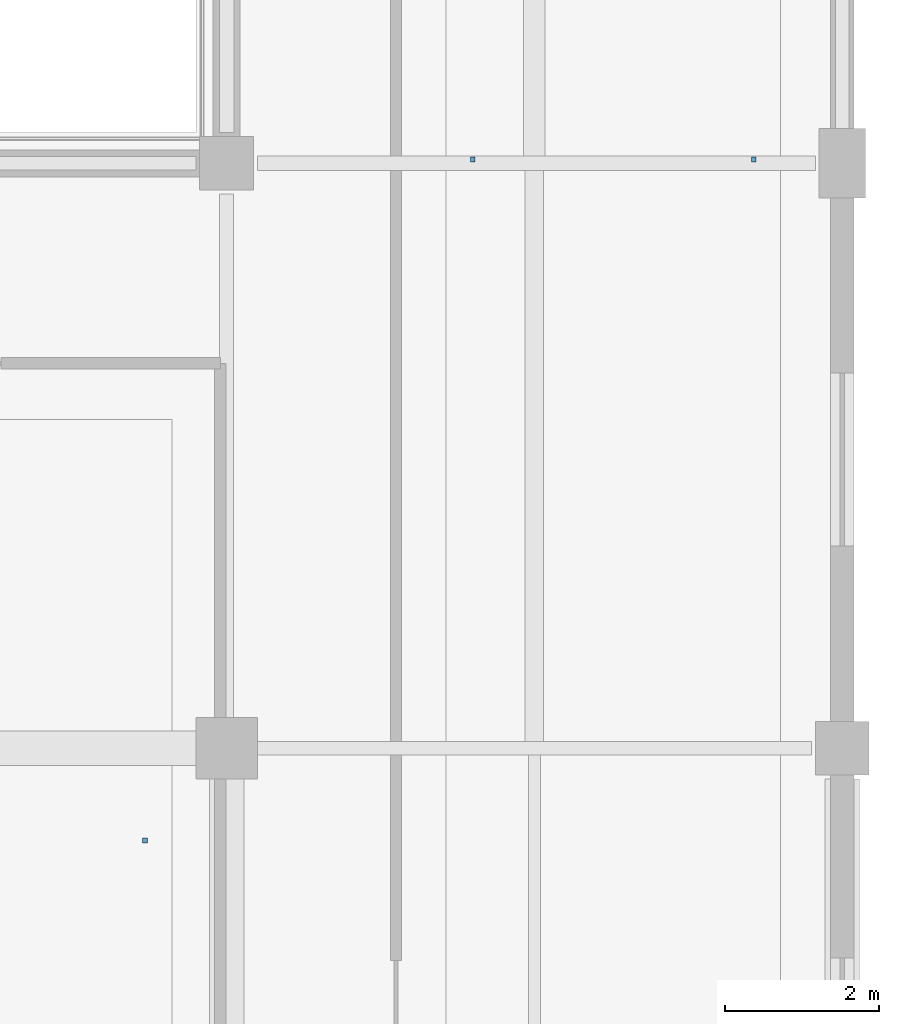
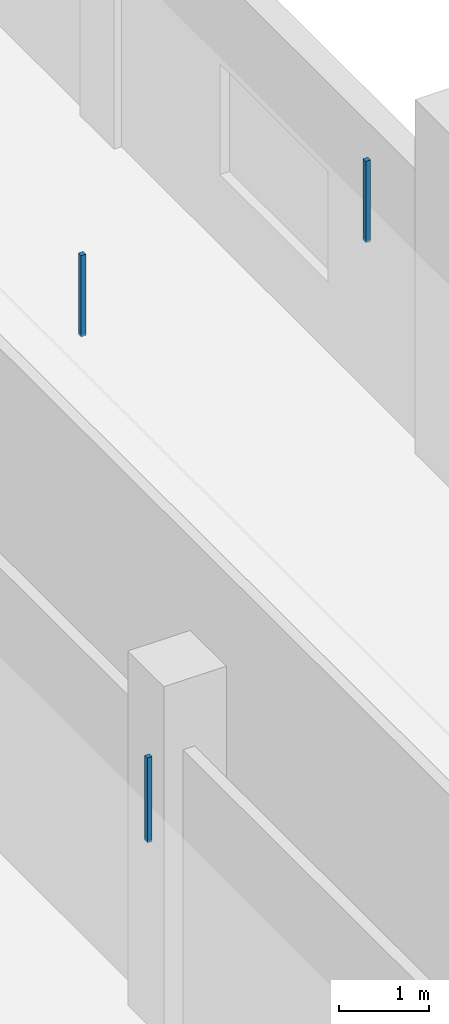
# One storey, part 108 of 147: 3 discrete accessories.
"""IFC4 building model written with IfcOpenShell, lengths in metres."""

from ifc_helpers import new_model, si_unit, direction, frame, origin, origin_2d, place, context, subcontext, project, spatial, rectangle, extrude, material, type_object, element, save


model = new_model("IFC4")

# Units and contexts
model_context = context("Model", 3, precision=1e-05, world=origin(), true_north=direction((0.0, 1.0)))
body_context = subcontext(model_context, "Body", "Model", "MODEL_VIEW")
ifc_project = project(units=[si_unit("LENGTHUNIT", "METRE"), si_unit("AREAUNIT", "SQUARE_METRE"), si_unit("VOLUMEUNIT", "CUBIC_METRE"), si_unit("PLANEANGLEUNIT", "RADIAN"), si_unit("MASSUNIT", "GRAM", prefix="KILO")], contexts=[model_context])

# Site, building, storey
site_placement = place(None, origin())
site = spatial("IfcSite", under=ifc_project, at=site_placement, CompositionType="ELEMENT")
building_placement = place(site_placement, origin())
building = spatial("IfcBuilding", under=site, at=building_placement, Name="Khelvaren Railside Concert Hall", CompositionType="ELEMENT")
storey_placement = place(building_placement, frame((0.0, 0.0, 5.39990234375)))
storey = spatial("IfcBuildingStorey", under=building, at=storey_placement, Name="L01", CompositionType="ELEMENT", Elevation=5.39990234375)

# Discrete accessories
ifc_material = material(Name="Galvanised steel acoustic ceiling hanger rod", Category="steel")
discrete_accessory_type = type_object("IfcDiscreteAccessoryType", Name="BRK62", PredefinedType="BRACKET", material=ifc_material)
for number, where, z_axis, x_axis, name in (
    (1, (43.199951171875, 83.64990234375, 3.429931640625), (0.0, 0.0, 1.0), (1.0, 0.0, 0.0), "Acoustic Ceiling Suspension Bracket 112-1"),
    (2, (46.85009765625, 83.64990234375, 3.429931640625), (0.0, 0.0, 1.0), (1.0, 0.0, 0.0), "Acoustic Ceiling Suspension Bracket 112-2"),
):
    element("IfcDiscreteAccessory", number, at=place(storey_placement, frame(where, z_axis=z_axis, x_axis=x_axis)), inside=storey, type_object=discrete_accessory_type, Name=name, PredefinedType="BRACKET", context=body_context, shape_type="SweptSolid", body=[
        extrude(rectangle(XDim=0.06005859375, YDim=0.06005859375, at=origin_2d()), origin(), (0.0, 0.0, 1.0), 1.10009765625),
    ])
discrete_accessory_placement = place(storey_placement, frame((38.93994140625, 74.800048828125, 3.43017578125), z_axis=(0.0, 0.0, 1.0), x_axis=(1.0, 0.0, 0.0)))
element("IfcDiscreteAccessory", 3, at=discrete_accessory_placement, inside=storey, type_object=discrete_accessory_type, Name="Acoustic Ceiling Suspension Bracket 115-2", PredefinedType="BRACKET", context=body_context, shape_type="SweptSolid", body=[
    extrude(rectangle(XDim=0.06005859375, YDim=0.06005859375, at=origin_2d()), origin(), (0.0, 0.0, 1.0), 1.14990234375),
])

save(model, "model.ifc")
